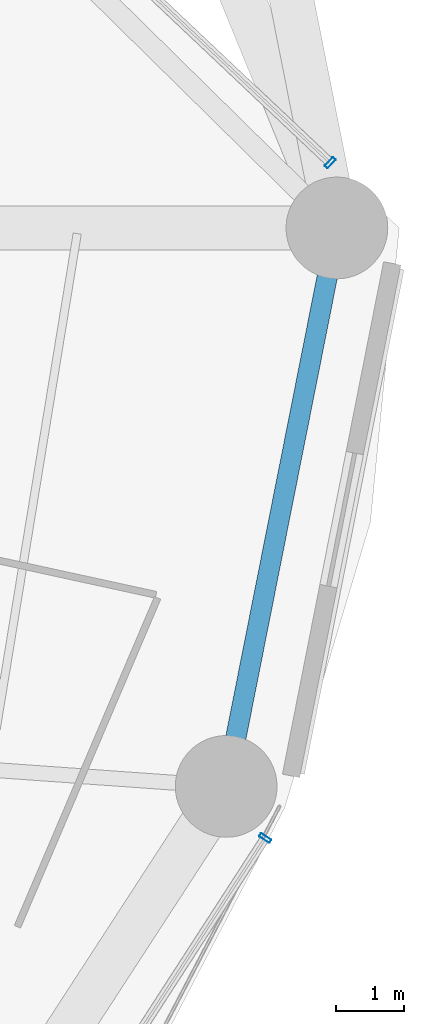
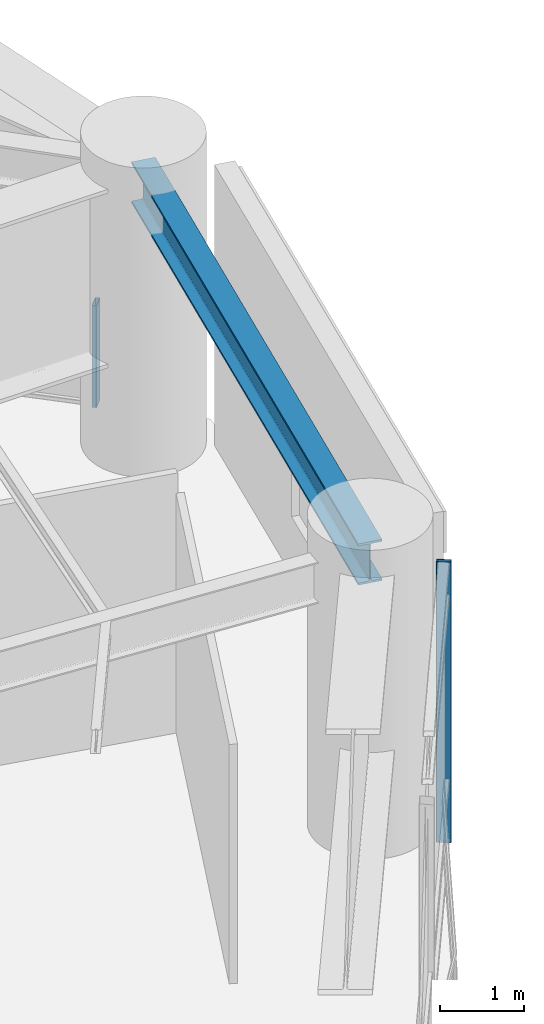
# One storey, part 25 of 52: 2 members, 1 beam, 2 elements without a shape of their own.
"""IFC4 building model written with IfcOpenShell, lengths in metres."""

import ifcopenshell
import ifcopenshell.guid

model = None  # the IFC model being written
_history = None  # IfcOwnerHistory: only IFC2X3 demands one
_inside = {}  # id of a spatial element -> (the spatial element, [elements in it])
_under = {}  # id of a project, library or spatial element -> (it, [spatial elements below it])
_declared = {}  # id of a project -> (the project, [libraries it declares])
_typed = {}  # id of a type object -> (the type object, [elements of that type])
_made_of = {}  # id of a material, layer set ... -> (it, [elements and type objects made of it])


def new_model(schema):
    """Start an empty IFC model of exactly this schema.

    Asked for "IFC4X3", IfcOpenShell would pick the latest addendum, in which some entities
    have other attributes; the version numbers below select the first issue.
    IFC2X3 requires an IfcOwnerHistory on every rooted entity: one is made here for all.
    """
    global model, _history
    if schema == "IFC4X3":
        model = ifcopenshell.file(schema_version=(4, 3, 0, 0))
    else:
        model = ifcopenshell.file(schema=schema)
    _inside.clear()
    _under.clear()
    _declared.clear()
    _typed.clear()
    _made_of.clear()
    _history = None
    if model.schema == "IFC2X3":
        org = make("IfcOrganization", Name="unknown")
        user = make(
            "IfcPersonAndOrganization",
            ThePerson=make("IfcPerson", FamilyName="unknown"),
            TheOrganization=org,
        )
        app = make(
            "IfcApplication",
            ApplicationDeveloper=org,
            Version="unknown",
            ApplicationFullName="unknown",
            ApplicationIdentifier="unknown",
        )
        _history = make(
            "IfcOwnerHistory",
            OwningUser=user,
            OwningApplication=app,
            ChangeAction="ADDED",
            CreationDate=0,
        )
    return model


def make(cls, **values):
    """One entity of the class cls with the attributes given. An attribute that is None is left unset."""
    return model.create_entity(
        cls, **{name: value for name, value in values.items() if value is not None}
    )


def rooted(cls, **values):
    """An entity with a GlobalId (a new one), such as an element, a storey or a relation."""
    return make(cls, GlobalId=ifcopenshell.guid.new(), OwnerHistory=_history, **values)


def si_unit(unit_type, name, prefix=None):
    """IfcSIUnit, for example si_unit("LENGTHUNIT", "METRE", prefix="MILLI")."""
    return make("IfcSIUnit", UnitType=unit_type, Prefix=prefix, Name=name)


def assignment(units):
    """IfcUnitAssignment: the units of a project."""
    return None if units is None else make("IfcUnitAssignment", Units=units)


def point(xyz):
    """IfcCartesianPoint."""
    return None if xyz is None else make("IfcCartesianPoint", Coordinates=xyz)


def direction(xyz):
    """IfcDirection."""
    return None if xyz is None else make("IfcDirection", DirectionRatios=xyz)


def frame(location, z_axis=None, x_axis=None):
    """IfcAxis2Placement3D, a coordinate frame: its origin and axes. An axis left out is left unset."""
    return make(
        "IfcAxis2Placement3D",
        Location=point(location),
        Axis=direction(z_axis),
        RefDirection=direction(x_axis),
    )


def frame_2d(location, x_axis=None):
    """IfcAxis2Placement2D, a coordinate frame in the plane: its origin and x axis."""
    return make(
        "IfcAxis2Placement2D", Location=point(location), RefDirection=direction(x_axis)
    )


def origin():
    """The frame at (0, 0, 0) with its axes left unset."""
    return frame((0.0, 0.0, 0.0))


def origin_2d():
    """The frame at (0, 0) in the plane with its x axis left unset."""
    return frame_2d((0.0, 0.0))


def place(relative_to, where):
    """IfcLocalPlacement: puts the frame where relative to a parent placement (None: the world)."""
    return make(
        "IfcLocalPlacement", PlacementRelTo=relative_to, RelativePlacement=where
    )


def context(
    kind, dimensions, precision=None, world=None, true_north=None, identifier=None
):
    """IfcGeometricRepresentationContext, for example the 3D "Model" context."""
    return make(
        "IfcGeometricRepresentationContext",
        ContextIdentifier=identifier,
        ContextType=kind,
        CoordinateSpaceDimension=dimensions,
        Precision=precision,
        WorldCoordinateSystem=world,
        TrueNorth=true_north,
    )


def subcontext(parent, identifier, kind, view, scale=None):
    """IfcGeometricRepresentationSubContext, for example "Body" below "Model"."""
    return make(
        "IfcGeometricRepresentationSubContext",
        ContextIdentifier=identifier,
        ContextType=kind,
        ParentContext=parent,
        TargetScale=scale,
        TargetView=view,
    )


def project(units=None, contexts=None):
    """IfcProject with its units and contexts."""
    return rooted(
        "IfcProject",
        Name="project",
        RepresentationContexts=contexts,
        UnitsInContext=assignment(units),
    )


def spatial(cls, under=None, at=None, **own):
    """A site, building, storey or space (cls), placed at a placement, below another one or the project."""
    s = rooted(cls, ObjectPlacement=at, **own)
    if under is not None:
        _under.setdefault(under.id(), (under, []))[1].append(s)
    return s


def profile(cls, at=None, kind="AREA", **sizes):
    """A parametric profile (cls). Its sizes go by their IFC names, for example OverallWidth=200.0."""
    return make(cls, ProfileType=kind, Position=at, **sizes)


def hollow_rectangle(**sizes):
    """IfcRectangleHollowProfileDef."""
    return profile("IfcRectangleHollowProfileDef", **sizes)


def i_section(**sizes):
    """IfcIShapeProfileDef."""
    return profile("IfcIShapeProfileDef", **sizes)


def extrude(swept, where, along, depth):
    """IfcExtrudedAreaSolid: the profile swept, set in the frame where, extruded along a direction by depth."""
    return make(
        "IfcExtrudedAreaSolid",
        SweptArea=swept,
        Position=where,
        ExtrudedDirection=direction(along),
        Depth=depth,
    )


def shape(context_of_items, identifier, shape_type, items):
    """IfcShapeRepresentation: the items that make up one representation, for example the "Body"."""
    return make(
        "IfcShapeRepresentation",
        ContextOfItems=context_of_items,
        RepresentationIdentifier=identifier,
        RepresentationType=shape_type,
        Items=items,
    )


def material(Name=None, Category=None):
    """IfcMaterial."""
    return make("IfcMaterial", Name=Name, Category=Category)


def layer(
    of_material, thickness, ventilated=None, Name=None, Category=None, Priority=None
):
    """IfcMaterialLayer: one layer of a wall or slab, of a material (None: an air gap)."""
    return make(
        "IfcMaterialLayer",
        Material=of_material,
        LayerThickness=thickness,
        IsVentilated=ventilated,
        Name=Name,
        Category=Category,
        Priority=Priority,
    )


def layer_set(layers, Name=None):
    """IfcMaterialLayerSet."""
    return make("IfcMaterialLayerSet", MaterialLayers=layers, LayerSetName=Name)


def material_profile(
    of_material, cross_section, Name=None, Category=None, Priority=None
):
    """IfcMaterialProfile: a cross section and its material."""
    return make(
        "IfcMaterialProfile",
        Name=Name,
        Material=of_material,
        Profile=cross_section,
        Priority=Priority,
        Category=Category,
    )


def profile_set(profiles, Name=None, composite=None):
    """IfcMaterialProfileSet."""
    return make(
        "IfcMaterialProfileSet",
        Name=Name,
        MaterialProfiles=profiles,
        CompositeProfile=composite,
    )


def made_of(thing, what):
    """Note that an element or type object is made of a material, layer set ...; save() writes the relation."""
    if what is not None:
        _made_of.setdefault(what.id(), (what, []))[1].append(thing)
    return thing


def type_object(cls, material=None, **own):
    """A type object (cls), such as IfcWallType, which elements share."""
    return made_of(rooted(cls, **own), material)


def element(
    cls,
    number,
    at=None,
    inside=None,
    cuts=None,
    type_object=None,
    material=None,
    context=None,
    identifier="Body",
    shape_type=None,
    held_by="IfcProductDefinitionShape",
    body=None,
    shapes=None,
    **own,
):
    """One element of the class cls, such as IfcWall. Its Tag is "e" and its number.

    at: its placement. inside: the storey or other place that contains it. cuts: it is an
    opening in that element (IfcRelVoidsElement). A single representation is given by context,
    identifier, shape_type and body (its items); several are given by shapes. held_by: the class
    of the entity that holds the representations. save() writes the other relations.
    """
    e = rooted(cls, Tag="e%d" % number, ObjectPlacement=at, **own)
    if body is not None:
        shapes = [shape(context, identifier, shape_type, body)]
    if shapes is not None:
        e.Representation = make(held_by, Representations=shapes)
    if inside is not None:
        _inside.setdefault(inside.id(), (inside, []))[1].append(e)
    if cuts is not None:
        rooted(
            "IfcRelVoidsElement", RelatingBuildingElement=cuts, RelatedOpeningElement=e
        )
    if type_object is not None:
        _typed.setdefault(type_object.id(), (type_object, []))[1].append(e)
    return made_of(e, material)


def aggregate(whole, parts):
    """IfcRelAggregates: a whole, such as a stair, and the parts it consists of."""
    return rooted("IfcRelAggregates", RelatingObject=whole, RelatedObjects=parts)


def save(model, path):
    """Write the relations noted so far, then the file.

    IfcRelAggregates (storeys below a building ...), IfcRelContainedInSpatialStructure (elements
    in a storey), IfcRelDefinesByType, IfcRelAssociatesMaterial and IfcRelDeclares: one each for
    every whole, place, type object, material and project.
    """
    for whole, parts in _under.values():
        aggregate(whole, parts)
    for where, things in _inside.values():
        rooted(
            "IfcRelContainedInSpatialStructure",
            RelatedElements=things,
            RelatingStructure=where,
        )
    for kind, things in _typed.values():
        rooted("IfcRelDefinesByType", RelatedObjects=things, RelatingType=kind)
    for what, things in _made_of.values():
        rooted("IfcRelAssociatesMaterial", RelatedObjects=things, RelatingMaterial=what)
    for by, libraries in _declared.values():
        rooted("IfcRelDeclares", RelatingContext=by, RelatedDefinitions=libraries)
    model.write(path)


model = new_model("IFC4")

# Units and contexts
model_context = context("Model", 3, precision=1e-05, world=origin(), true_north=direction((0.0, 1.0)))
body_context = subcontext(model_context, "Body", "Model", "MODEL_VIEW")
ifc_project = project(units=[si_unit("LENGTHUNIT", "METRE"), si_unit("AREAUNIT", "SQUARE_METRE"), si_unit("VOLUMEUNIT", "CUBIC_METRE"), si_unit("PLANEANGLEUNIT", "RADIAN"), si_unit("MASSUNIT", "GRAM", prefix="KILO")], contexts=[model_context])

# Site, building, storey
site_placement = place(None, origin())
site = spatial("IfcSite", under=ifc_project, at=site_placement, CompositionType="ELEMENT")
building_placement = place(site_placement, origin())
building = spatial("IfcBuilding", under=site, at=building_placement, Name="Kelanora Arch Commons", CompositionType="ELEMENT")
storey_placement = place(building_placement, frame((0.0, 0.0, 13.5)))
storey = spatial("IfcBuildingStorey", under=building, at=storey_placement, Name="L03", CompositionType="ELEMENT", Elevation=13.5)

# Beam
ifc_material_1 = material(Name="Steel S355", Category="steel")
ifc_material_profile_1 = material_profile(ifc_material_1, i_section(OverallWidth=0.300048828125, OverallDepth=0.60009765625, WebThickness=0.015380859375, FlangeThickness=0.030029296875, FilletRadius=0.027099609375, at=origin_2d()), Name="HEB600")
ifc_profile_set_1 = profile_set([ifc_material_profile_1], Name="Steel S355")
beam_type = type_object("IfcBeamType", Name="BM-SPN-Z1", PredefinedType="SPANDREL", material=ifc_profile_set_1)
beam_placement = place(storey_placement, frame((99.447021484375, 49.76416015625, 3.800048828125), z_axis=(0.194499827256, 0.980902552345, 0.0), x_axis=(-0.980902552345, 0.194499827256, 0.0)))
element("IfcBeam", 1, at=beam_placement, inside=storey, type_object=beam_type, Name="Perimeter Spandrel Beam BS-34 L03", PredefinedType="SPANDREL", context=body_context, shape_type="SweptSolid", body=[
    extrude(i_section(OverallWidth=0.300048828125, OverallDepth=0.60009765625, WebThickness=0.015380859375, FlangeThickness=0.030029296875, FilletRadius=0.027099609375, at=origin_2d()), origin(), (0.0, 0.0, 1.0), 8.396240234375),
])

# Curtain wall, member
ifc_material_2 = material(Name="Terracotta ceramic-fritted low-E glass and aluminium", Category="masonry")
ifc_layer = layer(ifc_material_2, 0.2099609375)
ifc_layer_set = layer_set([ifc_layer], Name="Terracotta ceramic-fritted low-E glass and aluminium")
curtain_wall_type = type_object("IfcCurtainWallType", Name="CW-SYS-04", PredefinedType="NOTDEFINED", material=ifc_layer_set)
curtain_wall_1_placement = place(storey_placement, origin())
curtain_wall_1 = element("IfcCurtainWall", 2, at=curtain_wall_1_placement, inside=storey, type_object=curtain_wall_type, Name="Unitised Curtain Wall L03-B00", PredefinedType="NOTDEFINED")
ifc_material_3 = material(Name="Powder-coated aluminium terracotta", Category="masonry")
ifc_material_profile_2 = material_profile(ifc_material_3, hollow_rectangle(XDim=0.179931640625, YDim=0.06005859375, WallThickness=0.0048828125, InnerFilletRadius=0.0048828125, OuterFilletRadius=0.010009765625, at=origin_2d()), Name="CWM180x60")
ifc_profile_set_2 = profile_set([ifc_material_profile_2], Name="Powder-coated aluminium terracotta")
member_type = type_object("IfcMemberType", Name="CWM-HVY", PredefinedType="MULLION", material=ifc_profile_set_2)
member_1_placement = place(storey_placement, frame((100.981201171875, 58.96240234375, 0.0), z_axis=(0.0, 0.0, 1.0), x_axis=(-0.686720224308, -0.72692182078, 0.0)))
member_1 = element("IfcMember", 3, at=member_1_placement, type_object=member_type, Name="CW-04 mullion 1", PredefinedType="MULLION", context=body_context, shape_type="SweptSolid", body=[
    extrude(hollow_rectangle(XDim=0.179931640625, YDim=0.06005859375, WallThickness=0.0048828125, InnerFilletRadius=0.0048828125, OuterFilletRadius=0.010009765625, at=origin_2d()), origin(), (0.0, 0.0, 1.0), 1.47998046875),
])
aggregate(curtain_wall_1, [member_1])

curtain_wall_2_placement = place(storey_placement, origin())
curtain_wall_2 = element("IfcCurtainWall", 4, at=curtain_wall_2_placement, inside=storey, type_object=curtain_wall_type, Name="Unitised Curtain Wall L03-B16", PredefinedType="NOTDEFINED")
member_2_placement = place(storey_placement, frame((100.02197265625, 49.001953125, 0.0), z_axis=(0.0, 0.0, 1.0), x_axis=(-0.839728582399, 0.54300636083, 0.0)))
member_2 = element("IfcMember", 5, at=member_2_placement, type_object=member_type, Name="CW-04 mullion 3", PredefinedType="MULLION", context=body_context, shape_type="SweptSolid", body=[
    extrude(hollow_rectangle(XDim=0.179931640625, YDim=0.06005859375, WallThickness=0.0048828125, InnerFilletRadius=0.0048828125, OuterFilletRadius=0.010009765625, at=origin_2d()), origin(), (0.0, 0.0, 1.0), 4.0849609375),
])
aggregate(curtain_wall_2, [member_2])

save(model, "model.ifc")
